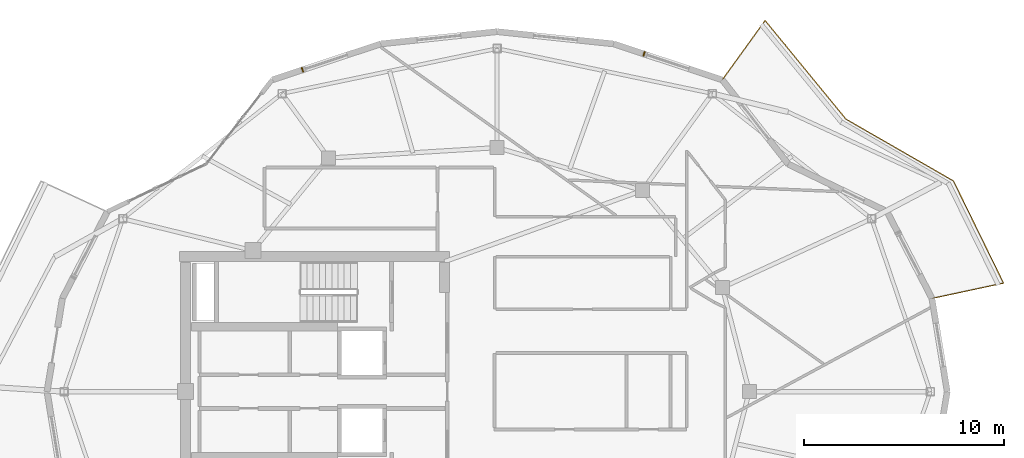
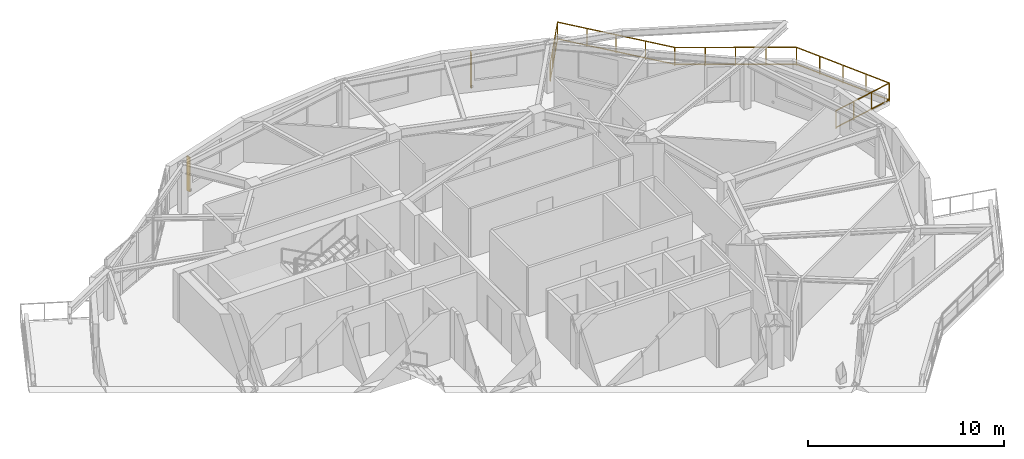
# One storey, part 14 of 14: 2 shading devices, 1 railing.
"""IFC4 building model written with IfcOpenShell, lengths in metres."""

from ifc_helpers import new_model, si_unit, direction, frame, origin, origin_2d, place, context, subcontext, project, spatial, rectangle, extrude, material, type_object, element, save


model = new_model("IFC4")

# Units and contexts
model_context = context("Model", 3, precision=1e-05, world=origin(), true_north=direction((0.0, 1.0)))
body_context = subcontext(model_context, "Body", "Model", "MODEL_VIEW")
ifc_project = project(units=[si_unit("LENGTHUNIT", "METRE"), si_unit("AREAUNIT", "SQUARE_METRE"), si_unit("VOLUMEUNIT", "CUBIC_METRE"), si_unit("PLANEANGLEUNIT", "RADIAN"), si_unit("MASSUNIT", "GRAM", prefix="KILO")], contexts=[model_context])

# Site, building, storey
site_placement = place(None, origin())
site = spatial("IfcSite", under=ifc_project, at=site_placement, CompositionType="ELEMENT")
building_placement = place(site_placement, origin())
building = spatial("IfcBuilding", under=site, at=building_placement, Name="Kolvaren Gate Tower and Convention Centre", CompositionType="ELEMENT")
storey_placement = place(building_placement, frame((0.0, 0.0, 252.5)))
storey = spatial("IfcBuildingStorey", under=building, at=storey_placement, Name="L68", CompositionType="ELEMENT", Elevation=252.5)

# Railing
ifc_material_1 = material(Name="Brushed Stainless Steel Grade 316L", Category="steel")
railing_type = type_object("IfcRailingType", Name="ARCH-RL-GUARD-1150", PredefinedType="GUARDRAIL", material=ifc_material_1)
railing_placement = place(storey_placement, frame((51.8583984375, 31.65869140625, 0.0)))
element("IfcRailing", 1, at=railing_placement, inside=storey, type_object=railing_type, Name="Tower L68 Terrace Perimeter Guardrail GR-1", PredefinedType="GUARDRAIL", context=body_context, shape_type="SweptSolid", body=[
    extrude(rectangle(XDim=0.048095703125, YDim=0.048095703125, at=origin_2d()), frame((0.02734375, 0.005859375, 1.1259765625), z_axis=(0.977788745232, 0.209592866525, 0.0), x_axis=(-0.209592866525, 0.977788745232, 0.0)), (0.0, 0.0, 1.0), 3.603759765625),
    extrude(rectangle(XDim=0.048095703125, YDim=0.048095703125, at=origin_2d()), frame((0.02734375, 0.005859375, 0.083984375), z_axis=(0.977788745232, 0.209592866525, 0.0), x_axis=(-0.209592866525, 0.977788745232, 0.0)), (0.0, 0.0, 1.0), 3.603759765625),
    extrude(rectangle(XDim=0.048095703125, YDim=0.048095703125, at=origin_2d()), frame((3.566162109375, 0.792236328125, 1.1259765625), z_axis=(-0.440058847499, 0.897968936399, 0.0), x_axis=(-0.897968936399, -0.440058847499, 0.0)), (0.0, 0.0, 1.0), 5.63330078125),
    extrude(rectangle(XDim=0.048095703125, YDim=0.048095703125, at=origin_2d()), frame((3.566162109375, 0.792236328125, 0.083984375), z_axis=(-0.440058847499, 0.897968936399, 0.0), x_axis=(-0.897968936399, -0.440058847499, 0.0)), (0.0, 0.0, 1.0), 5.63330078125),
    extrude(rectangle(XDim=0.048095703125, YDim=0.048095703125, at=origin_2d()), frame((1.050537109375, 5.889892578125, 1.1259765625), z_axis=(-0.866894385595, 0.498491849706, 0.0), x_axis=(-0.498491849706, -0.866894385595, 0.0)), (0.0, 0.0, 1.0), 6.140869140625),
    extrude(rectangle(XDim=0.048095703125, YDim=0.048095703125, at=origin_2d()), frame((1.050537109375, 5.889892578125, 0.083984375), z_axis=(-0.866894385595, 0.498491849706, 0.0), x_axis=(-0.498491849706, -0.866894385595, 0.0)), (0.0, 0.0, 1.0), 6.140869140625),
    extrude(rectangle(XDim=0.048095703125, YDim=0.048095703125, at=origin_2d()), frame((-4.31494140625, 8.98681640625, 1.1259765625), z_axis=(-0.634050293942, 0.773291810866, 0.0), x_axis=(-0.773291810866, -0.634050293942, 0.0)), (0.0, 0.0, 1.0), 6.322509765625),
    extrude(rectangle(XDim=0.048095703125, YDim=0.048095703125, at=origin_2d()), frame((-4.31494140625, 8.98681640625, 0.083984375), z_axis=(-0.634050293942, 0.773291810866, 0.0), x_axis=(-0.773291810866, -0.634050293942, 0.0)), (0.0, 0.0, 1.0), 6.322509765625),
    extrude(rectangle(XDim=0.048095703125, YDim=0.048095703125, at=origin_2d()), frame((-8.35791015625, 13.875, 1.1259765625), z_axis=(-0.585181217189, -0.810902548429, 0.0), x_axis=(0.810902548429, -0.585181217189, 0.0)), (0.0, 0.0, 1.0), 3.60400390625),
    extrude(rectangle(XDim=0.048095703125, YDim=0.048095703125, at=origin_2d()), frame((-8.35791015625, 13.875, 0.083984375), z_axis=(-0.585181217189, -0.810902548429, 0.0), x_axis=(0.810902548429, -0.585181217189, 0.0)), (0.0, 0.0, 1.0), 3.60400390625),
    extrude(rectangle(XDim=0.0419921875, YDim=0.0419921875, at=origin_2d()), origin(), (0.0, 0.0, 1.0), 1.14990234375),
    extrude(rectangle(XDim=0.0419921875, YDim=0.0419921875, at=origin_2d()), frame((3.57861328125, 0.76708984375, 0.0)), (0.0, 0.0, 1.0), 1.14990234375),
    extrude(rectangle(XDim=0.0419921875, YDim=0.0419921875, at=origin_2d()), frame((1.19287109375, 0.255615234375, 0.0)), (0.0, 0.0, 1.0), 1.099853515625),
    extrude(rectangle(XDim=0.0419921875, YDim=0.0419921875, at=origin_2d()), frame((2.3857421875, 0.511474609375, 0.0)), (0.0, 0.0, 1.0), 1.099853515625),
    extrude(rectangle(XDim=0.0419921875, YDim=0.0419921875, at=origin_2d()), frame((1.074951171875, 5.8759765625, 0.0)), (0.0, 0.0, 1.0), 1.14990234375),
    extrude(rectangle(XDim=0.0419921875, YDim=0.0419921875, at=origin_2d()), frame((2.95263671875, 2.04443359375, 0.0)), (0.0, 0.0, 1.0), 1.099853515625),
    extrude(rectangle(XDim=0.0419921875, YDim=0.0419921875, at=origin_2d()), frame((2.32666015625, 3.321533203125, 0.0)), (0.0, 0.0, 1.0), 1.099853515625),
    extrude(rectangle(XDim=0.0419921875, YDim=0.0419921875, at=origin_2d()), frame((1.700927734375, 4.5986328125, 0.0)), (0.0, 0.0, 1.0), 1.099853515625),
    extrude(rectangle(XDim=0.0419921875, YDim=0.0419921875, at=origin_2d()), frame((-4.297119140625, 8.965087890625, 0.0)), (0.0, 0.0, 1.0), 1.14990234375),
    extrude(rectangle(XDim=0.0419921875, YDim=0.0419921875, at=origin_2d()), frame((-0.26806640625, 6.648193359375, 0.0)), (0.0, 0.0, 1.0), 1.099853515625),
    extrude(rectangle(XDim=0.0419921875, YDim=0.0419921875, at=origin_2d()), frame((-1.611083984375, 7.42041015625, 0.0)), (0.0, 0.0, 1.0), 1.099853515625),
    extrude(rectangle(XDim=0.0419921875, YDim=0.0419921875, at=origin_2d()), frame((-2.9541015625, 8.19287109375, 0.0)), (0.0, 0.0, 1.0), 1.099853515625),
    extrude(rectangle(XDim=0.0419921875, YDim=0.0419921875, at=origin_2d()), frame((-8.341552734375, 13.897705078125, 0.0)), (0.0, 0.0, 1.0), 1.14990234375),
    extrude(rectangle(XDim=0.0419921875, YDim=0.0419921875, at=origin_2d()), frame((-5.30810546875, 10.1982421875, 0.0)), (0.0, 0.0, 1.0), 1.099853515625),
    extrude(rectangle(XDim=0.0419921875, YDim=0.0419921875, at=origin_2d()), frame((-6.3193359375, 11.431396484375, 0.0)), (0.0, 0.0, 1.0), 1.099853515625),
    extrude(rectangle(XDim=0.0419921875, YDim=0.0419921875, at=origin_2d()), frame((-7.33056640625, 12.66455078125, 0.0)), (0.0, 0.0, 1.0), 1.099853515625),
    extrude(rectangle(XDim=0.0419921875, YDim=0.0419921875, at=origin_2d()), frame((-10.4833984375, 10.9296875, 0.0)), (0.0, 0.0, 1.0), 1.14990234375),
    extrude(rectangle(XDim=0.0419921875, YDim=0.0419921875, at=origin_2d()), frame((-9.055419921875, 12.908447265625, 0.0)), (0.0, 0.0, 1.0), 1.099853515625),
    extrude(rectangle(XDim=0.0419921875, YDim=0.0419921875, at=origin_2d()), frame((-9.76953125, 11.9189453125, 0.0)), (0.0, 0.0, 1.0), 1.099853515625),
])

# Shading devices
ifc_material_2 = material(Name="Kiln-Fired Bogota Terracotta Ceramic Louvre Profile", Category="masonry")
shading_device_type = type_object("IfcShadingDeviceType", Name="ARCH-SHD-FIN-180", PredefinedType="JALOUSIE", material=ifc_material_2)
for number, where, z_axis, x_axis, name in (
    (2, (37.46533203125, 43.884033203125, 0.219970703125), (0.0, 0.0, 1.0), (0.949241728595, -0.314547517385, 0.0), "Ceramic Vertical Brise-Soleil Fin FN-L68-04"),
    (3, (20.391845703125, 43.091064453125, 0.219970703125), (0.0, 0.0, 1.0), (0.949241728595, 0.314547517385, 0.0), "Ceramic Vertical Brise-Soleil Fin FN-L68-07"),
):
    element("IfcShadingDevice", number, at=place(storey_placement, frame(where, z_axis=z_axis, x_axis=x_axis)), inside=storey, type_object=shading_device_type, Name=name, PredefinedType="JALOUSIE", context=body_context, shape_type="SweptSolid", body=[
        extrude(rectangle(XDim=0.06005859375, YDim=0.239990234375, at=origin_2d()), origin(), (0.0, 0.0, 1.0), 2.14990234375),
    ])

save(model, "model.ifc")
